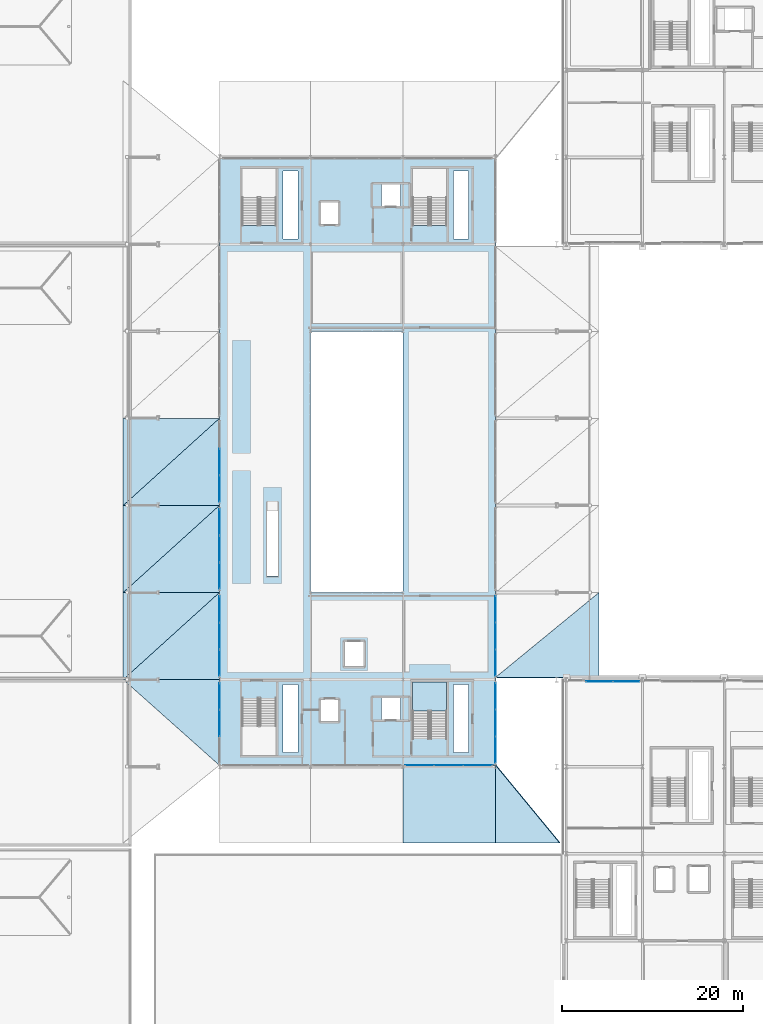
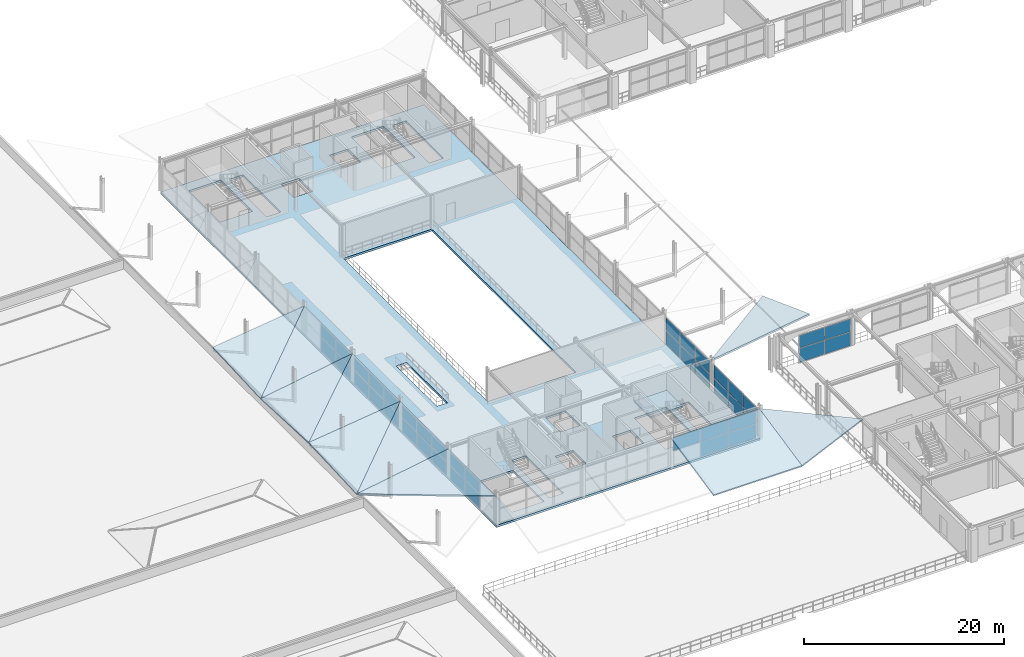
# One storey, part 35 of 81: 41 plates, 12 slabs, 9 elements without a shape of their own.
"""IFC4 building model written with IfcOpenShell, lengths in metres."""

from ifc_helpers import new_model, si_unit, direction, frame, origin, origin_2d, place, context, subcontext, project, spatial, polyline, rectangle, outline, extrude, material, layer, layer_set, type_object, element, aggregate, save


model = new_model("IFC4")

# Units and contexts
model_context = context("Model", 3, precision=1e-05, world=origin(), true_north=direction((0.0, 1.0)))
body_context = subcontext(model_context, "Body", "Model", "MODEL_VIEW")
ifc_project = project(units=[si_unit("LENGTHUNIT", "METRE"), si_unit("AREAUNIT", "SQUARE_METRE"), si_unit("VOLUMEUNIT", "CUBIC_METRE"), si_unit("PLANEANGLEUNIT", "RADIAN"), si_unit("MASSUNIT", "GRAM", prefix="KILO")], contexts=[model_context])

# Site, building, storey
site_placement = place(None, origin())
site = spatial("IfcSite", under=ifc_project, at=site_placement, CompositionType="ELEMENT")
building_placement = place(site_placement, origin())
building = spatial("IfcBuilding", under=site, at=building_placement, Name="Myrtia Square Station", CompositionType="ELEMENT")
storey_placement = place(building_placement, frame((0.0, 0.0, 10.800048828125)))
storey = spatial("IfcBuildingStorey", under=building, at=storey_placement, Name="L02", CompositionType="ELEMENT", Elevation=10.800048828125)

# Curtain wall, plates
ifc_material_1 = material(Name="Dark bronze anodised aluminium", Category="aluminium")
ifc_layer_1 = layer(ifc_material_1, 0.159912109375, Name="Dark bronze anodised aluminium")
ifc_layer_set_1 = layer_set([ifc_layer_1], Name="Dark bronze anodised aluminium")
curtain_wall_type_1 = type_object("IfcCurtainWallType", Name="CW-TYPE-05-890x341", PredefinedType="USERDEFINED", material=ifc_layer_set_1)
curtain_wall_1_placement = place(storey_placement, origin())
curtain_wall_1 = element("IfcCurtainWall", 1, at=curtain_wall_1_placement, inside=storey, type_object=curtain_wall_type_1, Name="Concourse curtain wall CW-L02-019", ObjectType="CONCOURSE CURTAIN WALL", PredefinedType="USERDEFINED")
ifc_material_2 = material(Name="Tinted low-E solar control glass", Category="glass")
ifc_layer_2 = layer(ifc_material_2, 0.028076171875, Name="Tinted low-E solar control glass")
ifc_layer_set_2 = layer_set([ifc_layer_2], Name="Tinted low-E solar control glass")
plate_type_1 = type_object("IfcPlateType", Name="CWP-GLZ-28", PredefinedType="CURTAIN_PANEL", material=ifc_layer_set_2)
plate_1_placement = place(storey_placement, frame((79.35009765625, 33.60009765625, 0.0751953125), z_axis=(0.0, 0.0, 1.0), x_axis=(0.0, 1.0, 0.0)))
plate_1 = element("IfcPlate", 2, at=plate_1_placement, type_object=plate_type_1, Name="CW-019 panel 2.1", PredefinedType="CURTAIN_PANEL", context=body_context, shape_type="SweptSolid", body=[
    extrude(rectangle(XDim=2.8916015625, YDim=0.028076171875, at=origin_2d()), origin(), (0.0, 0.0, 1.0), 1.660400390625),
])
plate_2_placement = place(storey_placement, frame((79.35009765625, 33.60009765625, 1.810546875), z_axis=(0.0, 0.0, 1.0), x_axis=(0.0, 1.0, 0.0)))
plate_2 = element("IfcPlate", 3, at=plate_2_placement, type_object=plate_type_1, Name="CW-019 panel 2.2", PredefinedType="CURTAIN_PANEL", context=body_context, shape_type="SweptSolid", body=[
    extrude(rectangle(XDim=2.8916015625, YDim=0.028076171875, at=origin_2d()), origin(), (0.0, 0.0, 1.0), 1.5244140625),
])
plate_3_placement = place(storey_placement, frame((79.35009765625, 36.5478515625, 0.0751953125), z_axis=(0.0, 0.0, 1.0), x_axis=(0.0, 1.0, 0.0)))
plate_3 = element("IfcPlate", 4, at=plate_3_placement, type_object=plate_type_1, Name="CW-019 panel 3.1", PredefinedType="CURTAIN_PANEL", context=body_context, shape_type="SweptSolid", body=[
    extrude(rectangle(XDim=2.854248046875, YDim=0.028076171875, at=origin_2d()), origin(), (0.0, 0.0, 1.0), 1.660400390625),
])
plate_4_placement = place(storey_placement, frame((79.35009765625, 36.5478515625, 1.810546875), z_axis=(0.0, 0.0, 1.0), x_axis=(0.0, 1.0, 0.0)))
plate_4 = element("IfcPlate", 5, at=plate_4_placement, type_object=plate_type_1, Name="CW-019 panel 3.2", PredefinedType="CURTAIN_PANEL", context=body_context, shape_type="SweptSolid", body=[
    extrude(rectangle(XDim=2.854248046875, YDim=0.028076171875, at=origin_2d()), origin(), (0.0, 0.0, 1.0), 1.5244140625),
])
aggregate(curtain_wall_1, [plate_1, plate_2, plate_3, plate_4])

ifc_layer_3 = layer(ifc_material_1, 0.159912109375, Name="Dark bronze anodised aluminium")
ifc_layer_set_3 = layer_set([ifc_layer_3], Name="Dark bronze anodised aluminium")
curtain_wall_type_2 = type_object("IfcCurtainWallType", Name="CW-TYPE-06-890x341", PredefinedType="USERDEFINED", material=ifc_layer_set_3)
curtain_wall_2_placement = place(storey_placement, origin())
curtain_wall_2 = element("IfcCurtainWall", 6, at=curtain_wall_2_placement, inside=storey, type_object=curtain_wall_type_2, Name="Concourse curtain wall CW-L02-022", ObjectType="CONCOURSE CURTAIN WALL", PredefinedType="USERDEFINED")
plate_5_placement = place(storey_placement, frame((109.800048828125, 40.248291015625, 0.059814453125), z_axis=(0.0, 0.0, 1.0), x_axis=(0.0, 1.0, 0.0)))
plate_5 = element("IfcPlate", 7, at=plate_5_placement, type_object=plate_type_1, Name="CW-022 panel 1.1", PredefinedType="CURTAIN_PANEL", context=body_context, shape_type="SweptSolid", body=[
    extrude(rectangle(XDim=2.876708984375, YDim=0.028076171875, at=origin_2d()), origin(), (0.0, 0.0, 1.0), 1.68310546875),
])
plate_6_placement = place(storey_placement, frame((109.800048828125, 40.248291015625, 1.802734375), z_axis=(0.0, 0.0, 1.0), x_axis=(0.0, 1.0, 0.0)))
plate_6 = element("IfcPlate", 8, at=plate_6_placement, type_object=plate_type_1, Name="CW-022 panel 1.2", PredefinedType="CURTAIN_PANEL", context=body_context, shape_type="SweptSolid", body=[
    extrude(rectangle(XDim=2.876708984375, YDim=0.028076171875, at=origin_2d()), origin(), (0.0, 0.0, 1.0), 1.547119140625),
])
plate_7_placement = place(storey_placement, frame((109.800048828125, 43.199951171875, 0.059814453125), z_axis=(0.0, 0.0, 1.0), x_axis=(0.0, 1.0, 0.0)))
plate_7 = element("IfcPlate", 9, at=plate_7_placement, type_object=plate_type_1, Name="CW-022 panel 2.1", PredefinedType="CURTAIN_PANEL", context=body_context, shape_type="SweptSolid", body=[
    extrude(rectangle(XDim=2.90673828125, YDim=0.028076171875, at=origin_2d()), origin(), (0.0, 0.0, 1.0), 1.68310546875),
])
plate_8_placement = place(storey_placement, frame((109.800048828125, 43.199951171875, 1.802734375), z_axis=(0.0, 0.0, 1.0), x_axis=(0.0, 1.0, 0.0)))
plate_8 = element("IfcPlate", 10, at=plate_8_placement, type_object=plate_type_1, Name="CW-022 panel 2.2", PredefinedType="CURTAIN_PANEL", context=body_context, shape_type="SweptSolid", body=[
    extrude(rectangle(XDim=2.90673828125, YDim=0.028076171875, at=origin_2d()), origin(), (0.0, 0.0, 1.0), 1.547119140625),
])
plate_9_placement = place(storey_placement, frame((109.800048828125, 46.151611328125, 0.059814453125), z_axis=(0.0, 0.0, 1.0), x_axis=(0.0, 1.0, 0.0)))
plate_9 = element("IfcPlate", 11, at=plate_9_placement, type_object=plate_type_1, Name="CW-022 panel 3.1", PredefinedType="CURTAIN_PANEL", context=body_context, shape_type="SweptSolid", body=[
    extrude(rectangle(XDim=2.876708984375, YDim=0.028076171875, at=origin_2d()), origin(), (0.0, 0.0, 1.0), 1.68310546875),
])
plate_10_placement = place(storey_placement, frame((109.800048828125, 46.151611328125, 1.802734375), z_axis=(0.0, 0.0, 1.0), x_axis=(0.0, 1.0, 0.0)))
plate_10 = element("IfcPlate", 12, at=plate_10_placement, type_object=plate_type_1, Name="CW-022 panel 3.2", PredefinedType="CURTAIN_PANEL", context=body_context, shape_type="SweptSolid", body=[
    extrude(rectangle(XDim=2.876708984375, YDim=0.028076171875, at=origin_2d()), origin(), (0.0, 0.0, 1.0), 1.547119140625),
])
aggregate(curtain_wall_2, [plate_5, plate_6, plate_7, plate_8, plate_9, plate_10])

curtain_wall_3_placement = place(storey_placement, origin())
curtain_wall_3 = element("IfcCurtainWall", 13, at=curtain_wall_3_placement, inside=storey, type_object=curtain_wall_type_1, Name="Concourse curtain wall CW-L02-023", ObjectType="CONCOURSE CURTAIN WALL", PredefinedType="USERDEFINED")
plate_11_placement = place(storey_placement, frame((79.35009765625, 49.85205078125, 0.0751953125), z_axis=(0.0, 0.0, 1.0), x_axis=(0.0, 1.0, 0.0)))
plate_11 = element("IfcPlate", 14, at=plate_11_placement, type_object=plate_type_1, Name="CW-023 panel 1.1", PredefinedType="CURTAIN_PANEL", context=body_context, shape_type="SweptSolid", body=[
    extrude(rectangle(XDim=2.854248046875, YDim=0.028076171875, at=origin_2d()), origin(), (0.0, 0.0, 1.0), 1.660400390625),
])
plate_12_placement = place(storey_placement, frame((79.35009765625, 49.85205078125, 1.810546875), z_axis=(0.0, 0.0, 1.0), x_axis=(0.0, 1.0, 0.0)))
plate_12 = element("IfcPlate", 15, at=plate_12_placement, type_object=plate_type_1, Name="CW-023 panel 1.2", PredefinedType="CURTAIN_PANEL", context=body_context, shape_type="SweptSolid", body=[
    extrude(rectangle(XDim=2.854248046875, YDim=0.028076171875, at=origin_2d()), origin(), (0.0, 0.0, 1.0), 1.5244140625),
])
plate_13_placement = place(storey_placement, frame((79.35009765625, 52.800048828125, 0.0751953125), z_axis=(0.0, 0.0, 1.0), x_axis=(0.0, 1.0, 0.0)))
plate_13 = element("IfcPlate", 16, at=plate_13_placement, type_object=plate_type_1, Name="CW-023 panel 2.1", PredefinedType="CURTAIN_PANEL", context=body_context, shape_type="SweptSolid", body=[
    extrude(rectangle(XDim=2.8916015625, YDim=0.028076171875, at=origin_2d()), origin(), (0.0, 0.0, 1.0), 1.660400390625),
])
plate_14_placement = place(storey_placement, frame((79.35009765625, 52.800048828125, 1.810546875), z_axis=(0.0, 0.0, 1.0), x_axis=(0.0, 1.0, 0.0)))
plate_14 = element("IfcPlate", 17, at=plate_14_placement, type_object=plate_type_1, Name="CW-023 panel 2.2", PredefinedType="CURTAIN_PANEL", context=body_context, shape_type="SweptSolid", body=[
    extrude(rectangle(XDim=2.8916015625, YDim=0.028076171875, at=origin_2d()), origin(), (0.0, 0.0, 1.0), 1.5244140625),
])
plate_15_placement = place(storey_placement, frame((79.35009765625, 55.747802734375, 0.0751953125), z_axis=(0.0, 0.0, 1.0), x_axis=(0.0, 1.0, 0.0)))
plate_15 = element("IfcPlate", 18, at=plate_15_placement, type_object=plate_type_1, Name="CW-023 panel 3.1", PredefinedType="CURTAIN_PANEL", context=body_context, shape_type="SweptSolid", body=[
    extrude(rectangle(XDim=2.854248046875, YDim=0.028076171875, at=origin_2d()), origin(), (0.0, 0.0, 1.0), 1.660400390625),
])
plate_16_placement = place(storey_placement, frame((79.35009765625, 55.747802734375, 1.810546875), z_axis=(0.0, 0.0, 1.0), x_axis=(0.0, 1.0, 0.0)))
plate_16 = element("IfcPlate", 19, at=plate_16_placement, type_object=plate_type_1, Name="CW-023 panel 3.2", PredefinedType="CURTAIN_PANEL", context=body_context, shape_type="SweptSolid", body=[
    extrude(rectangle(XDim=2.854248046875, YDim=0.028076171875, at=origin_2d()), origin(), (0.0, 0.0, 1.0), 1.5244140625),
])
aggregate(curtain_wall_3, [plate_11, plate_12, plate_13, plate_14, plate_15, plate_16])

ifc_layer_4 = layer(ifc_material_1, 0.159912109375, Name="Dark bronze anodised aluminium")
ifc_layer_set_4 = layer_set([ifc_layer_4], Name="Dark bronze anodised aluminium")
curtain_wall_type_3 = type_object("IfcCurtainWallType", Name="CW-TYPE-27-600x340", PredefinedType="USERDEFINED", material=ifc_layer_set_4)
curtain_wall_4_placement = place(storey_placement, origin())
curtain_wall_4 = element("IfcCurtainWall", 20, at=curtain_wall_4_placement, inside=storey, type_object=curtain_wall_type_3, Name="Concourse curtain wall CW-L02-097", ObjectType="CONCOURSE CURTAIN WALL", PredefinedType="USERDEFINED")
plate_17_placement = place(storey_placement, frame((121.239990234375, 38.199951171875, 0.06005859375), z_axis=(0.0, 0.0, 1.0), x_axis=(1.0, 0.0, 0.0)))
plate_17 = element("IfcPlate", 21, at=plate_17_placement, type_object=plate_type_1, Name="CW-097 panel 1.1", PredefinedType="CURTAIN_PANEL", context=body_context, shape_type="SweptSolid", body=[
    extrude(rectangle(XDim=2.909912109375, YDim=0.028076171875, at=origin_2d()), origin(), (0.0, 0.0, 1.0), 1.677978515625),
])
plate_18_placement = place(storey_placement, frame((121.239990234375, 38.199951171875, 1.7978515625), z_axis=(0.0, 0.0, 1.0), x_axis=(1.0, 0.0, 0.0)))
plate_18 = element("IfcPlate", 22, at=plate_18_placement, type_object=plate_type_1, Name="CW-097 panel 1.2", PredefinedType="CURTAIN_PANEL", context=body_context, shape_type="SweptSolid", body=[
    extrude(rectangle(XDim=2.909912109375, YDim=0.028076171875, at=origin_2d()), origin(), (0.0, 0.0, 1.0), 1.5419921875),
])
plate_19_placement = place(storey_placement, frame((124.2099609375, 38.199951171875, 0.06005859375), z_axis=(0.0, 0.0, 1.0), x_axis=(1.0, 0.0, 0.0)))
plate_19 = element("IfcPlate", 23, at=plate_19_placement, type_object=plate_type_1, Name="CW-097 panel 2.1", PredefinedType="CURTAIN_PANEL", context=body_context, shape_type="SweptSolid", body=[
    extrude(rectangle(XDim=2.909912109375, YDim=0.028076171875, at=origin_2d()), origin(), (0.0, 0.0, 1.0), 1.677978515625),
])
plate_20_placement = place(storey_placement, frame((124.2099609375, 38.199951171875, 1.7978515625), z_axis=(0.0, 0.0, 1.0), x_axis=(1.0, 0.0, 0.0)))
plate_20 = element("IfcPlate", 24, at=plate_20_placement, type_object=plate_type_1, Name="CW-097 panel 2.2", PredefinedType="CURTAIN_PANEL", context=body_context, shape_type="SweptSolid", body=[
    extrude(rectangle(XDim=2.909912109375, YDim=0.028076171875, at=origin_2d()), origin(), (0.0, 0.0, 1.0), 1.5419921875),
])
aggregate(curtain_wall_4, [plate_17, plate_18, plate_19, plate_20])

ifc_layer_5 = layer(ifc_material_1, 0.159912109375, Name="Dark bronze anodised aluminium")
ifc_layer_set_5 = layer_set([ifc_layer_5], Name="Dark bronze anodised aluminium")
curtain_wall_type_4 = type_object("IfcCurtainWallType", Name="CW-TYPE-14-965x355", PredefinedType="USERDEFINED", material=ifc_layer_set_5)
curtain_wall_5_placement = place(storey_placement, origin())
curtain_wall_5 = element("IfcCurtainWall", 25, at=curtain_wall_5_placement, inside=storey, type_object=curtain_wall_type_4, Name="Concourse curtain wall CW-L02-051", ObjectType="CONCOURSE CURTAIN WALL", PredefinedType="USERDEFINED")
ifc_layer_6 = layer(ifc_material_2, 0.031982421875, Name="Tinted low-E solar control glass")
ifc_layer_set_6 = layer_set([ifc_layer_6], Name="Tinted low-E solar control glass")
plate_type_2 = type_object("IfcPlateType", Name="CWP-GLZ-32", PredefinedType="CURTAIN_PANEL", material=ifc_layer_set_6)
plate_21_placement = place(storey_placement, frame((101.42333984375, 28.949951171875, 1.8759765625), z_axis=(0.0, 0.0, 1.0), x_axis=(1.0, 0.0, 0.0)))
plate_21 = element("IfcPlate", 26, at=plate_21_placement, type_object=plate_type_2, Name="CW-051 panel 1.2", PredefinedType="CURTAIN_PANEL", context=body_context, shape_type="SweptSolid", body=[
    extrude(rectangle(XDim=3.126708984375, YDim=0.031982421875, at=origin_2d()), origin(), (0.0, 0.0, 1.0), 1.614013671875),
])
plate_22_placement = place(storey_placement, frame((104.625, 28.949951171875, 0.06005859375), z_axis=(0.0, 0.0, 1.0), x_axis=(1.0, 0.0, 0.0)))
plate_22 = element("IfcPlate", 27, at=plate_22_placement, type_object=plate_type_2, Name="CW-051 panel 2.1", PredefinedType="CURTAIN_PANEL", context=body_context, shape_type="SweptSolid", body=[
    extrude(rectangle(XDim=3.15673828125, YDim=0.031982421875, at=origin_2d()), origin(), (0.0, 0.0, 1.0), 1.756103515625),
])
plate_23_placement = place(storey_placement, frame((104.625, 28.949951171875, 1.8759765625), z_axis=(0.0, 0.0, 1.0), x_axis=(1.0, 0.0, 0.0)))
plate_23 = element("IfcPlate", 28, at=plate_23_placement, type_object=plate_type_2, Name="CW-051 panel 2.2", PredefinedType="CURTAIN_PANEL", context=body_context, shape_type="SweptSolid", body=[
    extrude(rectangle(XDim=3.15673828125, YDim=0.031982421875, at=origin_2d()), origin(), (0.0, 0.0, 1.0), 1.614013671875),
])
plate_24_placement = place(storey_placement, frame((107.82666015625, 28.949951171875, 0.06005859375), z_axis=(0.0, 0.0, 1.0), x_axis=(1.0, 0.0, 0.0)))
plate_24 = element("IfcPlate", 29, at=plate_24_placement, type_object=plate_type_2, Name="CW-051 panel 3.1", PredefinedType="CURTAIN_PANEL", context=body_context, shape_type="SweptSolid", body=[
    extrude(rectangle(XDim=3.126708984375, YDim=0.031982421875, at=origin_2d()), origin(), (0.0, 0.0, 1.0), 1.756103515625),
])
plate_25_placement = place(storey_placement, frame((107.82666015625, 28.949951171875, 1.8759765625), z_axis=(0.0, 0.0, 1.0), x_axis=(1.0, 0.0, 0.0)))
plate_25 = element("IfcPlate", 30, at=plate_25_placement, type_object=plate_type_2, Name="CW-051 panel 3.2", PredefinedType="CURTAIN_PANEL", context=body_context, shape_type="SweptSolid", body=[
    extrude(rectangle(XDim=3.126708984375, YDim=0.031982421875, at=origin_2d()), origin(), (0.0, 0.0, 1.0), 1.614013671875),
])
aggregate(curtain_wall_5, [plate_21, plate_22, plate_23, plate_24, plate_25])

curtain_wall_6_placement = place(storey_placement, origin())
curtain_wall_6 = element("IfcCurtainWall", 31, at=curtain_wall_6_placement, inside=storey, type_object=curtain_wall_type_2, Name="Concourse curtain wall CW-L02-020", ObjectType="CONCOURSE CURTAIN WALL", PredefinedType="USERDEFINED")
ifc_layer_7 = layer(ifc_material_2, 0.035888671875, Name="Tinted low-E solar control glass")
ifc_layer_set_7 = layer_set([ifc_layer_7], Name="Tinted low-E solar control glass")
plate_type_3 = type_object("IfcPlateType", Name="CWP-GLZ-36", PredefinedType="CURTAIN_PANEL", material=ifc_layer_set_7)
plate_26_placement = place(storey_placement, frame((109.800048828125, 30.6484375, 0.059814453125), z_axis=(0.0, 0.0, 1.0), x_axis=(0.0, 1.0, 0.0)))
plate_26 = element("IfcPlate", 32, at=plate_26_placement, type_object=plate_type_3, Name="CW-020 panel 1.1", PredefinedType="CURTAIN_PANEL", context=body_context, shape_type="SweptSolid", body=[
    extrude(rectangle(XDim=2.876708984375, YDim=0.035888671875, at=origin_2d()), origin(), (0.0, 0.0, 1.0), 1.68310546875),
])
plate_27_placement = place(storey_placement, frame((109.800048828125, 30.6484375, 1.802734375), z_axis=(0.0, 0.0, 1.0), x_axis=(0.0, 1.0, 0.0)))
plate_27 = element("IfcPlate", 33, at=plate_27_placement, type_object=plate_type_3, Name="CW-020 panel 1.2", PredefinedType="CURTAIN_PANEL", context=body_context, shape_type="SweptSolid", body=[
    extrude(rectangle(XDim=2.876708984375, YDim=0.035888671875, at=origin_2d()), origin(), (0.0, 0.0, 1.0), 1.547119140625),
])
plate_28_placement = place(storey_placement, frame((109.800048828125, 33.60009765625, 0.059814453125), z_axis=(0.0, 0.0, 1.0), x_axis=(0.0, 1.0, 0.0)))
plate_28 = element("IfcPlate", 34, at=plate_28_placement, type_object=plate_type_3, Name="CW-020 panel 2.1", PredefinedType="CURTAIN_PANEL", context=body_context, shape_type="SweptSolid", body=[
    extrude(rectangle(XDim=2.90673828125, YDim=0.035888671875, at=origin_2d()), origin(), (0.0, 0.0, 1.0), 1.68310546875),
])
plate_29_placement = place(storey_placement, frame((109.800048828125, 33.60009765625, 1.802734375), z_axis=(0.0, 0.0, 1.0), x_axis=(0.0, 1.0, 0.0)))
plate_29 = element("IfcPlate", 35, at=plate_29_placement, type_object=plate_type_3, Name="CW-020 panel 2.2", PredefinedType="CURTAIN_PANEL", context=body_context, shape_type="SweptSolid", body=[
    extrude(rectangle(XDim=2.90673828125, YDim=0.035888671875, at=origin_2d()), origin(), (0.0, 0.0, 1.0), 1.547119140625),
])
plate_30_placement = place(storey_placement, frame((109.800048828125, 36.5517578125, 0.059814453125), z_axis=(0.0, 0.0, 1.0), x_axis=(0.0, 1.0, 0.0)))
plate_30 = element("IfcPlate", 36, at=plate_30_placement, type_object=plate_type_3, Name="CW-020 panel 3.1", PredefinedType="CURTAIN_PANEL", context=body_context, shape_type="SweptSolid", body=[
    extrude(rectangle(XDim=2.876708984375, YDim=0.035888671875, at=origin_2d()), origin(), (0.0, 0.0, 1.0), 1.68310546875),
])
plate_31_placement = place(storey_placement, frame((109.800048828125, 36.5517578125, 1.802734375), z_axis=(0.0, 0.0, 1.0), x_axis=(0.0, 1.0, 0.0)))
plate_31 = element("IfcPlate", 37, at=plate_31_placement, type_object=plate_type_3, Name="CW-020 panel 3.2", PredefinedType="CURTAIN_PANEL", context=body_context, shape_type="SweptSolid", body=[
    extrude(rectangle(XDim=2.876708984375, YDim=0.035888671875, at=origin_2d()), origin(), (0.0, 0.0, 1.0), 1.547119140625),
])
aggregate(curtain_wall_6, [plate_26, plate_27, plate_28, plate_29, plate_30, plate_31])

curtain_wall_7_placement = place(storey_placement, origin())
curtain_wall_7 = element("IfcCurtainWall", 38, at=curtain_wall_7_placement, inside=storey, type_object=curtain_wall_type_1, Name="Concourse curtain wall CW-L02-021", ObjectType="CONCOURSE CURTAIN WALL", PredefinedType="USERDEFINED")
plate_32_placement = place(storey_placement, frame((79.35009765625, 40.252197265625, 0.0751953125), z_axis=(0.0, 0.0, 1.0), x_axis=(0.0, 1.0, 0.0)))
plate_32 = element("IfcPlate", 39, at=plate_32_placement, type_object=plate_type_3, Name="CW-021 panel 1.1", PredefinedType="CURTAIN_PANEL", context=body_context, shape_type="SweptSolid", body=[
    extrude(rectangle(XDim=2.854248046875, YDim=0.035888671875, at=origin_2d()), origin(), (0.0, 0.0, 1.0), 1.660400390625),
])
plate_33_placement = place(storey_placement, frame((79.35009765625, 40.252197265625, 1.810546875), z_axis=(0.0, 0.0, 1.0), x_axis=(0.0, 1.0, 0.0)))
plate_33 = element("IfcPlate", 40, at=plate_33_placement, type_object=plate_type_3, Name="CW-021 panel 1.2", PredefinedType="CURTAIN_PANEL", context=body_context, shape_type="SweptSolid", body=[
    extrude(rectangle(XDim=2.854248046875, YDim=0.035888671875, at=origin_2d()), origin(), (0.0, 0.0, 1.0), 1.5244140625),
])
plate_34_placement = place(storey_placement, frame((79.35009765625, 43.199951171875, 0.0751953125), z_axis=(0.0, 0.0, 1.0), x_axis=(0.0, 1.0, 0.0)))
plate_34 = element("IfcPlate", 41, at=plate_34_placement, type_object=plate_type_3, Name="CW-021 panel 2.1", PredefinedType="CURTAIN_PANEL", context=body_context, shape_type="SweptSolid", body=[
    extrude(rectangle(XDim=2.8916015625, YDim=0.035888671875, at=origin_2d()), origin(), (0.0, 0.0, 1.0), 1.660400390625),
])
plate_35_placement = place(storey_placement, frame((79.35009765625, 43.199951171875, 1.810546875), z_axis=(0.0, 0.0, 1.0), x_axis=(0.0, 1.0, 0.0)))
plate_35 = element("IfcPlate", 42, at=plate_35_placement, type_object=plate_type_3, Name="CW-021 panel 2.2", PredefinedType="CURTAIN_PANEL", context=body_context, shape_type="SweptSolid", body=[
    extrude(rectangle(XDim=2.8916015625, YDim=0.035888671875, at=origin_2d()), origin(), (0.0, 0.0, 1.0), 1.5244140625),
])
plate_36_placement = place(storey_placement, frame((79.35009765625, 46.14794921875, 0.0751953125), z_axis=(0.0, 0.0, 1.0), x_axis=(0.0, 1.0, 0.0)))
plate_36 = element("IfcPlate", 43, at=plate_36_placement, type_object=plate_type_3, Name="CW-021 panel 3.1", PredefinedType="CURTAIN_PANEL", context=body_context, shape_type="SweptSolid", body=[
    extrude(rectangle(XDim=2.854248046875, YDim=0.035888671875, at=origin_2d()), origin(), (0.0, 0.0, 1.0), 1.660400390625),
])
plate_37_placement = place(storey_placement, frame((79.35009765625, 46.14794921875, 1.810546875), z_axis=(0.0, 0.0, 1.0), x_axis=(0.0, 1.0, 0.0)))
plate_37 = element("IfcPlate", 44, at=plate_37_placement, type_object=plate_type_3, Name="CW-021 panel 3.2", PredefinedType="CURTAIN_PANEL", context=body_context, shape_type="SweptSolid", body=[
    extrude(rectangle(XDim=2.854248046875, YDim=0.035888671875, at=origin_2d()), origin(), (0.0, 0.0, 1.0), 1.5244140625),
])
aggregate(curtain_wall_7, [plate_32, plate_33, plate_34, plate_35, plate_36, plate_37])

curtain_wall_8_placement = place(storey_placement, origin())
curtain_wall_8 = element("IfcCurtainWall", 45, at=curtain_wall_8_placement, inside=storey, type_object=curtain_wall_type_1, Name="Concourse curtain wall CW-L02-025", ObjectType="CONCOURSE CURTAIN WALL", PredefinedType="USERDEFINED")
plate_38_placement = place(storey_placement, frame((79.35009765625, 59.4521484375, 0.0751953125), z_axis=(0.0, 0.0, 1.0), x_axis=(0.0, 1.0, 0.0)))
plate_38 = element("IfcPlate", 46, at=plate_38_placement, type_object=plate_type_3, Name="CW-025 panel 1.1", PredefinedType="CURTAIN_PANEL", context=body_context, shape_type="SweptSolid", body=[
    extrude(rectangle(XDim=2.854248046875, YDim=0.035888671875, at=origin_2d()), origin(), (0.0, 0.0, 1.0), 1.660400390625),
])
plate_39_placement = place(storey_placement, frame((79.35009765625, 59.4521484375, 1.810546875), z_axis=(0.0, 0.0, 1.0), x_axis=(0.0, 1.0, 0.0)))
plate_39 = element("IfcPlate", 47, at=plate_39_placement, type_object=plate_type_3, Name="CW-025 panel 1.2", PredefinedType="CURTAIN_PANEL", context=body_context, shape_type="SweptSolid", body=[
    extrude(rectangle(XDim=2.854248046875, YDim=0.035888671875, at=origin_2d()), origin(), (0.0, 0.0, 1.0), 1.5244140625),
])
plate_40_placement = place(storey_placement, frame((79.35009765625, 62.39990234375, 0.0751953125), z_axis=(0.0, 0.0, 1.0), x_axis=(0.0, 1.0, 0.0)))
plate_40 = element("IfcPlate", 48, at=plate_40_placement, type_object=plate_type_3, Name="CW-025 panel 2.1", PredefinedType="CURTAIN_PANEL", context=body_context, shape_type="SweptSolid", body=[
    extrude(rectangle(XDim=2.8916015625, YDim=0.035888671875, at=origin_2d()), origin(), (0.0, 0.0, 1.0), 1.660400390625),
])
plate_41_placement = place(storey_placement, frame((79.35009765625, 62.39990234375, 1.810546875), z_axis=(0.0, 0.0, 1.0), x_axis=(0.0, 1.0, 0.0)))
plate_41 = element("IfcPlate", 49, at=plate_41_placement, type_object=plate_type_3, Name="CW-025 panel 2.2", PredefinedType="CURTAIN_PANEL", context=body_context, shape_type="SweptSolid", body=[
    extrude(rectangle(XDim=2.8916015625, YDim=0.035888671875, at=origin_2d()), origin(), (0.0, 0.0, 1.0), 1.5244140625),
])
aggregate(curtain_wall_8, [plate_38, plate_39, plate_40, plate_41])

# Slabs
ifc_material_3 = material(Name="Concrete C35/45", Category="concrete")
ifc_layer_8 = layer(ifc_material_3, 0.25, Name="Concrete C35/45")
ifc_layer_set_8 = layer_set([ifc_layer_8], Name="Concrete C35/45")
slab_type_1 = type_object("IfcSlabType", Name="SLB-FLR-250", PredefinedType="FLOOR", material=ifc_layer_set_8)
slab_1_placement = place(storey_placement, frame((0.0, 0.0, -0.25)))
element("IfcSlab", 50, at=slab_1_placement, inside=storey, type_object=slab_type_1, Name="Structural floor slab SLB-L02-V2", PredefinedType="FLOOR", context=body_context, shape_type="SweptSolid", body=[
    extrude(outline(polyline([(79.35009765625, 28.800048828125), (109.800048828125, 28.800048828125), (109.800048828125, 96.0), (79.35009765625, 96.0), (79.35009765625, 28.800048828125)]), holes=[polyline([(89.39990234375, 48.0), (89.39990234375, 76.800048828125), (99.60009765625, 76.800048828125), (99.60009765625, 48.0), (89.39990234375, 48.0)]), polyline([(86.35009765625, 30.35009765625), (86.35009765625, 37.85009765625), (88.0, 37.85009765625), (88.0, 30.35009765625), (86.35009765625, 30.35009765625)]), polyline([(86.35009765625, 86.949951171875), (86.35009765625, 94.449951171875), (88.0, 94.449951171875), (88.0, 86.949951171875), (86.35009765625, 86.949951171875)]), polyline([(105.14990234375, 30.35009765625), (105.14990234375, 37.85009765625), (106.800048828125, 37.85009765625), (106.800048828125, 30.35009765625), (105.14990234375, 30.35009765625)]), polyline([(105.14990234375, 86.949951171875), (105.14990234375, 94.449951171875), (106.800048828125, 94.449951171875), (106.800048828125, 86.949951171875), (105.14990234375, 86.949951171875)]), polyline([(81.85009765625, 30.050048828125), (81.85009765625, 36.320068359375), (85.610107421875, 36.320068359375), (85.610107421875, 30.050048828125), (81.85009765625, 30.050048828125)]), polyline([(81.85009765625, 88.47998046875), (81.85009765625, 94.75), (85.610107421875, 94.75), (85.610107421875, 88.47998046875), (81.85009765625, 88.47998046875)]), polyline([(100.64990234375, 31.8798828125), (100.64990234375, 38.14990234375), (104.409912109375, 38.14990234375), (104.409912109375, 31.8798828125), (100.64990234375, 31.8798828125)]), polyline([(100.64990234375, 88.47998046875), (100.64990234375, 94.75), (104.409912109375, 94.75), (104.409912109375, 88.47998046875), (100.64990234375, 88.47998046875)]), polyline([(90.449951171875, 33.699951171875), (90.449951171875, 36.300048828125), (92.550048828125, 36.300048828125), (92.550048828125, 33.699951171875), (90.449951171875, 33.699951171875)]), polyline([(90.449951171875, 88.5), (90.449951171875, 91.10009765625), (92.550048828125, 91.10009765625), (92.550048828125, 88.5), (90.449951171875, 88.5)]), polyline([(97.199951171875, 33.889892578125), (97.199951171875, 36.489990234375), (99.300048828125, 36.489990234375), (99.300048828125, 33.889892578125), (97.199951171875, 33.889892578125)]), polyline([(97.199951171875, 90.489990234375), (97.199951171875, 93.090087890625), (99.300048828125, 93.090087890625), (99.300048828125, 90.489990234375), (97.199951171875, 90.489990234375)]), polyline([(93.050048828125, 39.75), (93.050048828125, 42.64990234375), (95.35009765625, 42.64990234375), (95.35009765625, 39.75), (93.050048828125, 39.75)]), polyline([(84.590087890625, 49.800048828125), (84.590087890625, 57.89990234375), (85.81005859375, 57.89990234375), (85.81005859375, 49.800048828125), (84.590087890625, 49.800048828125)])]), origin(), (0.0, 0.0, 1.0), 0.25),
])
ifc_layer_9 = layer(ifc_material_3, 0.175048828125, Name="Concrete C35/45")
ifc_layer_set_9 = layer_set([ifc_layer_9], Name="Concrete C35/45")
slab_type_2 = type_object("IfcSlabType", Name="SLB-FOLD-175", PredefinedType="ROOF", material=ifc_layer_set_9)
slab_2_placement = place(storey_placement, frame((68.75, 38.39990234375, 1.75), z_axis=(-0.167417614618, 0.0, 0.985886069643), x_axis=(0.740516662994, -0.660168097897, 0.1257503652)))
element("IfcSlab", 51, at=slab_2_placement, inside=storey, type_object=slab_type_2, Name="Lower folded wrap roof SW inner facet", PredefinedType="ROOF", context=body_context, shape_type="SweptSolid", body=[
    extrude(outline(polyline([(0.0, 0.0), (14.314462031682945, 9.71445146547012e-16), (8.07590574132667, 7.098027371240397), (0.0, 0.0)])), origin(), (0.0, 0.0, -1.0), 0.175048828125),
])
slab_3_placement = place(storey_placement, frame((68.75, 38.39990234375, 1.75), z_axis=(-0.167417614618, 0.0, 0.985886069643), x_axis=(0.985886069643, 0.0, 0.167417614618)))
element("IfcSlab", 52, at=slab_3_placement, inside=storey, type_object=slab_type_2, Name="Lower folded wrap roof west bay 1A", PredefinedType="ROOF", context=body_context, shape_type="SweptSolid", body=[
    extrude(outline(polyline([(0.0, 0.0), (10.751848497150197, 0.0), (10.751848497150197, 9.60009765625), (0.0, 0.0)])), origin(), (0.0, 0.0, -1.0), 0.175048828125),
])
slab_4_placement = place(storey_placement, frame((68.75, 38.39990234375, 1.75), z_axis=(-0.126209508467, -0.046443666165, 0.990915811684), x_axis=(0.735401634424, 0.666024760902, 0.124881759883)))
element("IfcSlab", 53, at=slab_4_placement, inside=storey, type_object=slab_type_2, Name="Lower folded wrap roof west bay 1B", PredefinedType="ROOF", context=body_context, shape_type="SweptSolid", body=[
    extrude(outline(polyline([(0.0, 0.0), (14.414025153134974, 6.522560269672795e-16), (6.450093440343619, 7.124649161709274), (0.0, 0.0)])), origin(), (0.0, 0.0, -1.0), 0.175048828125),
])
slab_5_placement = place(storey_placement, frame((68.75, 48.0, 2.199951171875), z_axis=(-0.126345846916, 0.0, 0.991986253416), x_axis=(0.991986253416, 0.0, 0.126345846916)))
element("IfcSlab", 54, at=slab_5_placement, inside=storey, type_object=slab_type_2, Name="Lower folded wrap roof west bay 2A", PredefinedType="ROOF", context=body_context, shape_type="SweptSolid", body=[
    extrude(outline(polyline([(0.0, 0.0), (10.685730391669466, 0.0), (10.685730391669466, 9.60009765625), (0.0, 0.0)])), origin(), (0.0, 0.0, -1.0), 0.175048828125),
])
slab_6_placement = place(storey_placement, frame((68.75, 48.0, 2.199951171875), z_axis=(-0.167239167599, 0.046158672903, 0.984835233801), x_axis=(0.737923078254, 0.668308334863, 0.093986701892)))
element("IfcSlab", 55, at=slab_6_placement, inside=storey, type_object=slab_type_2, Name="Lower folded wrap roof west bay 2B", PredefinedType="ROOF", context=body_context, shape_type="SweptSolid", body=[
    extrude(outline(polyline([(0.0, 0.0), (14.36477319740849, 1.3877787807814457e-16), (6.373535852517218, 7.193217069106568), (0.0, 0.0)])), origin(), (0.0, 0.0, -1.0), 0.175048828125),
])
slab_7_placement = place(storey_placement, frame((68.75, 57.60009765625, 1.75), z_axis=(-0.167417614618, 0.0, 0.985886069643), x_axis=(0.985886069643, 0.0, 0.167417614618)))
element("IfcSlab", 56, at=slab_7_placement, inside=storey, type_object=slab_type_2, Name="Lower folded wrap roof west bay 3A", PredefinedType="ROOF", context=body_context, shape_type="SweptSolid", body=[
    extrude(outline(polyline([(0.0, 0.0), (10.751848497150197, 0.0), (10.751848497150197, 9.599853515625), (0.0, 0.0)])), origin(), (0.0, 0.0, -1.0), 0.175048828125),
])
slab_8_placement = place(storey_placement, frame((68.75, 57.60009765625, 1.75), z_axis=(-0.126209501543, -0.046444844759, 0.990915757325), x_axis=(0.735409930478, 0.666015336412, 0.124883168672)))
element("IfcSlab", 57, at=slab_8_placement, inside=storey, type_object=slab_type_2, Name="Lower folded wrap roof west bay 3B", PredefinedType="ROOF", context=body_context, shape_type="SweptSolid", body=[
    extrude(outline(polyline([(0.0, 0.0), (14.413862550584028, -1.5404344466674047e-15), (6.449840996807471, 7.124548736195926), (0.0, 0.0)])), origin(), (0.0, 0.0, -1.0), 0.175048828125),
])
slab_9_placement = place(storey_placement, frame((99.60009765625, 20.39990234375, 1.75), z_axis=(0.0, -0.206014705666, 0.978548895584), x_axis=(1.0, 0.0, 0.0)))
element("IfcSlab", 58, at=slab_9_placement, inside=storey, type_object=slab_type_2, Name="Lower folded wrap roof south gable 3", PredefinedType="ROOF", context=body_context, shape_type="SweptSolid", body=[
    extrude(outline(polyline([(0.0, 0.0), (10.199951171875, 0.0), (10.199951171875, 8.737477367464585), (0.0, 8.737477367464585), (0.0, 0.0)])), origin(), (0.0, 0.0, -1.0), 0.175048828125),
])
slab_10_placement = place(storey_placement, frame((116.85009765625, 20.39990234375, 4.990966796875), z_axis=(-0.410248764384, -0.187879984552, 0.892410814999), x_axis=(-0.630871439564, 0.765098475776, -0.128940098913)))
element("IfcSlab", 59, at=slab_10_placement, inside=storey, type_object=slab_type_2, Name="Lower folded wrap roof SE patio corner", PredefinedType="ROOF", context=body_context, shape_type="SweptSolid", body=[
    extrude(outline(polyline([(0.0, 0.0), (11.175095884820632, -1.3322676295501878e-15), (4.865565032559785, 6.0442808646955175), (0.0, 0.0)])), origin(), (0.0, 0.0, -1.0), 0.175048828125),
])
slab_11_placement = place(storey_placement, frame((121.199951171875, 38.64990234375, 5.23486328125), z_axis=(-0.1371768414, 0.345938938014, 0.928174964836), x_axis=(0.0, 0.937033138784, -0.349240457021)))
element("IfcSlab", 60, at=slab_11_placement, inside=storey, type_object=slab_type_2, Name="Lower folded wrap roof Myrtia Square SE upturned corner", PredefinedType="ROOF", context=body_context, shape_type="SweptSolid", body=[
    extrude(outline(polyline([(0.0, 0.0), (9.978406599774148, 5.551115123125783e-17), (0.5884053696055546, 11.508698984225584), (0.0, 0.0)])), origin(), (0.0, 0.0, -1.0), 0.175048828125),
])

# Stair, slab
stair_type = type_object("IfcStairType", Name="STR-04-24R-1800W", PredefinedType="HALF_TURN_STAIR", material=ifc_material_3)
stair_placement = place(storey_placement, origin())
stair = element("IfcStair", 61, at=stair_placement, inside=storey, type_object=stair_type, Name="L02 Core escape stair ST03", PredefinedType="HALF_TURN_STAIR")
ifc_layer_10 = layer(ifc_material_3, 0.199951171875, Name="Concrete C35/45")
ifc_layer_set_10 = layer_set([ifc_layer_10], Name="Concrete C35/45")
slab_type_3 = type_object("IfcSlabType", Name="SLB-LAND-200", PredefinedType="LANDING", material=ifc_layer_set_10)
slab_12_placement = place(storey_placement, frame((0.0, 0.0, 1.89990234375)))
slab_12 = element("IfcSlab", 62, at=slab_12_placement, type_object=slab_type_3, Name="ST03 landing 1", PredefinedType="LANDING", context=body_context, shape_type="SweptSolid", body=[
    extrude(outline(polyline([(104.409912109375, 34.929931640625), (104.409912109375, 38.14990234375), (100.64990234375, 38.14990234375), (100.64990234375, 34.929931640625), (104.409912109375, 34.929931640625)])), origin(), (0.0, 0.0, 1.0), 0.199951171875),
])
aggregate(stair, [slab_12])

save(model, "model.ifc")
